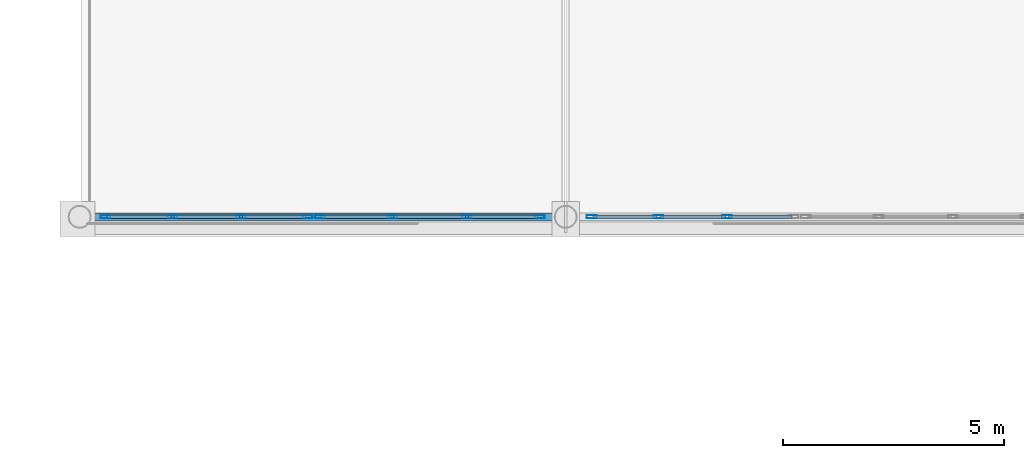
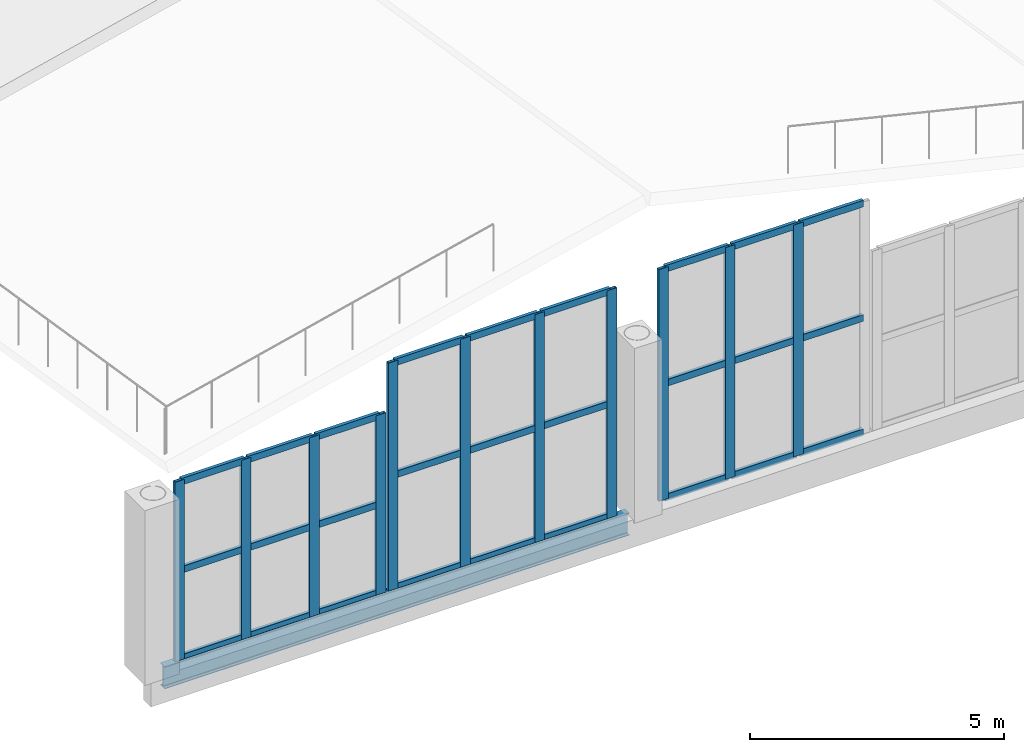
# One storey, part 13 of 120: 38 members, 1 beam, 3 elements without a shape of their own.
"""IFC4 building model written with IfcOpenShell, lengths in metres."""

from ifc_helpers import new_model, si_unit, direction, frame, origin, origin_2d, place, context, subcontext, project, spatial, hollow_rectangle, i_section, extrude, material, material_profile, profile_set, type_object, element, aggregate, save


model = new_model("IFC4")

# Units and contexts
model_context = context("Model", 3, precision=1e-05, world=origin(), true_north=direction((0.0, 1.0)))
body_context = subcontext(model_context, "Body", "Model", "MODEL_VIEW")
ifc_project = project(units=[si_unit("LENGTHUNIT", "METRE"), si_unit("AREAUNIT", "SQUARE_METRE"), si_unit("VOLUMEUNIT", "CUBIC_METRE"), si_unit("PLANEANGLEUNIT", "RADIAN"), si_unit("MASSUNIT", "GRAM", prefix="KILO")], contexts=[model_context])

# Site, building, storey
site_placement = place(None, origin())
site = spatial("IfcSite", under=ifc_project, at=site_placement, CompositionType="ELEMENT")
building_placement = place(site_placement, origin())
building = spatial("IfcBuilding", under=site, at=building_placement, Name="Caurita Quay Ferry Terminal", CompositionType="ELEMENT")
storey_placement = place(building_placement, frame((0.0, 0.0, 9.89990234375)))
storey = spatial("IfcBuildingStorey", under=building, at=storey_placement, Name="L02", CompositionType="ELEMENT", Elevation=9.89990234375)

# Beam
ifc_material_1 = material(Name="Structural steel ASTM A992 Gr. 50", Category="steel")
ifc_material_profile_1 = material_profile(ifc_material_1, i_section(OverallWidth=0.16650390625, OverallDepth=0.535888671875, WebThickness=0.01025390625, FlangeThickness=0.0166015625, FilletRadius=0.013916015625, at=origin_2d()), Name="W21X57")
ifc_profile_set_1 = profile_set([ifc_material_profile_1], Name="Structural steel ASTM A992 Gr. 50")
beam_type = type_object("IfcBeamType", Name="BM-SP-W21B", PredefinedType="SPANDREL", material=ifc_profile_set_1)
beam_placement = place(storey_placement, frame((0.219970703125, 34.60009765625, -0.267822265625), z_axis=(1.0, 0.0, 0.0), x_axis=(0.0, 1.0, 0.0)))
element("IfcBeam", 1, at=beam_placement, inside=storey, type_object=beam_type, Name="V1 Waterside Clerestory Sill Spandrel 0", PredefinedType="SPANDREL", context=body_context, shape_type="SweptSolid", body=[
    extrude(i_section(OverallWidth=0.16650390625, OverallDepth=0.535888671875, WebThickness=0.01025390625, FlangeThickness=0.0166015625, FilletRadius=0.013916015625, at=origin_2d()), origin(), (0.0, 0.0, 1.0), 10.56005859375),
])

# Curtain wall, members
ifc_material_2 = material(Name="Laminated solar-control insulated glass", Category="glass")
curtain_wall_type_1 = type_object("IfcCurtainWallType", Name="CW-SYS-01", PredefinedType="NOTDEFINED", material=ifc_material_2)
curtain_wall_1_placement = place(storey_placement, origin())
curtain_wall_1 = element("IfcCurtainWall", 2, at=curtain_wall_1_placement, inside=storey, type_object=curtain_wall_type_1, Name="Folded Roof Clerestory FB-01-S1", PredefinedType="NOTDEFINED")
ifc_material_3 = material(Name="Anodized aluminium 6063-T6", Category="aluminium")
ifc_material_profile_2 = material_profile(ifc_material_3, hollow_rectangle(XDim=0.074951171875, YDim=0.219970703125, WallThickness=0.00390625, at=origin_2d()), Name="ALU-MUL-75X220")
ifc_profile_set_2 = profile_set([ifc_material_profile_2], Name="Anodized aluminium 6063-T6")
member_type_1 = type_object("IfcMemberType", Name="CW-MUL-220", PredefinedType="MULLION", material=ifc_profile_set_2)
member_1_placement = place(storey_placement, frame((0.58740234375, 34.60009765625, 0.0), z_axis=(0.0, 0.0, 1.0), x_axis=(0.0, 1.0, 0.0)))
member_1 = element("IfcMember", 3, at=member_1_placement, type_object=member_type_1, Name="CW-CLR-001 Mullion 1", PredefinedType="MULLION", context=body_context, shape_type="SweptSolid", body=[
    extrude(hollow_rectangle(XDim=0.074951171875, YDim=0.219970703125, WallThickness=0.00390625, at=origin_2d()), origin(), (0.0, 0.0, 1.0), 4.31298828125),
])
member_2_placement = place(storey_placement, frame((2.10009765625, 34.60009765625, 0.0), z_axis=(0.0, 0.0, 1.0), x_axis=(0.0, 1.0, 0.0)))
member_2 = element("IfcMember", 4, at=member_2_placement, type_object=member_type_1, Name="CW-CLR-001 Mullion 2", PredefinedType="MULLION", context=body_context, shape_type="SweptSolid", body=[
    extrude(hollow_rectangle(XDim=0.074951171875, YDim=0.219970703125, WallThickness=0.00390625, at=origin_2d()), origin(), (0.0, 0.0, 1.0), 4.31298828125),
])
member_3_placement = place(storey_placement, frame((3.64990234375, 34.60009765625, 0.0), z_axis=(0.0, 0.0, 1.0), x_axis=(0.0, 1.0, 0.0)))
member_3 = element("IfcMember", 5, at=member_3_placement, type_object=member_type_1, Name="CW-CLR-001 Mullion 3", PredefinedType="MULLION", context=body_context, shape_type="SweptSolid", body=[
    extrude(hollow_rectangle(XDim=0.074951171875, YDim=0.219970703125, WallThickness=0.00390625, at=origin_2d()), origin(), (0.0, 0.0, 1.0), 4.31298828125),
])
member_4_placement = place(storey_placement, frame((5.16259765625, 34.60009765625, 0.0), z_axis=(0.0, 0.0, 1.0), x_axis=(0.0, 1.0, 0.0)))
member_4 = element("IfcMember", 6, at=member_4_placement, type_object=member_type_1, Name="CW-CLR-001 Mullion 4", PredefinedType="MULLION", context=body_context, shape_type="SweptSolid", body=[
    extrude(hollow_rectangle(XDim=0.074951171875, YDim=0.219970703125, WallThickness=0.00390625, at=origin_2d()), origin(), (0.0, 0.0, 1.0), 4.31298828125),
])

curtain_wall_type_2 = type_object("IfcCurtainWallType", Name="CW-SYS-02", PredefinedType="NOTDEFINED", material=ifc_material_2)
curtain_wall_2_placement = place(storey_placement, origin())
curtain_wall_2 = element("IfcCurtainWall", 7, at=curtain_wall_2_placement, inside=storey, type_object=curtain_wall_type_2, Name="Folded Roof Clerestory FB-01-S2", PredefinedType="NOTDEFINED")
member_5_placement = place(storey_placement, frame((5.4375, 34.60009765625, 0.0), z_axis=(0.0, 0.0, 1.0), x_axis=(0.0, 1.0, 0.0)))
member_5 = element("IfcMember", 8, at=member_5_placement, type_object=member_type_1, Name="CW-CLR-002 Mullion 1", PredefinedType="MULLION", context=body_context, shape_type="SweptSolid", body=[
    extrude(hollow_rectangle(XDim=0.074951171875, YDim=0.219970703125, WallThickness=0.00390625, at=origin_2d()), origin(), (0.0, 0.0, 1.0), 5.47705078125),
])
member_6_placement = place(storey_placement, frame((7.083251953125, 34.60009765625, 0.0), z_axis=(0.0, 0.0, 1.0), x_axis=(0.0, 1.0, 0.0)))
member_6 = element("IfcMember", 9, at=member_6_placement, type_object=member_type_1, Name="CW-CLR-002 Mullion 2", PredefinedType="MULLION", context=body_context, shape_type="SweptSolid", body=[
    extrude(hollow_rectangle(XDim=0.074951171875, YDim=0.219970703125, WallThickness=0.00390625, at=origin_2d()), origin(), (0.0, 0.0, 1.0), 5.47705078125),
])
member_7_placement = place(storey_placement, frame((8.7666015625, 34.60009765625, 0.0), z_axis=(0.0, 0.0, 1.0), x_axis=(0.0, 1.0, 0.0)))
member_7 = element("IfcMember", 10, at=member_7_placement, type_object=member_type_1, Name="CW-CLR-002 Mullion 3", PredefinedType="MULLION", context=body_context, shape_type="SweptSolid", body=[
    extrude(hollow_rectangle(XDim=0.074951171875, YDim=0.219970703125, WallThickness=0.00390625, at=origin_2d()), origin(), (0.0, 0.0, 1.0), 5.47705078125),
])
member_8_placement = place(storey_placement, frame((10.41259765625, 34.60009765625, 0.0), z_axis=(0.0, 0.0, 1.0), x_axis=(0.0, 1.0, 0.0)))
member_8 = element("IfcMember", 11, at=member_8_placement, type_object=member_type_1, Name="CW-CLR-002 Mullion 4", PredefinedType="MULLION", context=body_context, shape_type="SweptSolid", body=[
    extrude(hollow_rectangle(XDim=0.074951171875, YDim=0.219970703125, WallThickness=0.00390625, at=origin_2d()), origin(), (0.0, 0.0, 1.0), 5.47705078125),
])

curtain_wall_type_3 = type_object("IfcCurtainWallType", Name="CW-SYS-03", PredefinedType="NOTDEFINED", material=ifc_material_2)
curtain_wall_3_placement = place(storey_placement, origin())
curtain_wall_3 = element("IfcCurtainWall", 12, at=curtain_wall_3_placement, inside=storey, type_object=curtain_wall_type_3, Name="Folded Roof Clerestory FB-01-S3", PredefinedType="NOTDEFINED")
member_9_placement = place(storey_placement, frame((11.58740234375, 34.60009765625, 0.0), z_axis=(0.0, 0.0, 1.0), x_axis=(0.0, 1.0, 0.0)))
member_9 = element("IfcMember", 13, at=member_9_placement, type_object=member_type_1, Name="CW-CLR-003 Mullion 1", PredefinedType="MULLION", context=body_context, shape_type="SweptSolid", body=[
    extrude(hollow_rectangle(XDim=0.074951171875, YDim=0.219970703125, WallThickness=0.00390625, at=origin_2d()), origin(), (0.0, 0.0, 1.0), 5.572998046875),
])
member_10_placement = place(storey_placement, frame((13.10009765625, 34.60009765625, 0.0), z_axis=(0.0, 0.0, 1.0), x_axis=(0.0, 1.0, 0.0)))
member_10 = element("IfcMember", 14, at=member_10_placement, type_object=member_type_1, Name="CW-CLR-003 Mullion 2", PredefinedType="MULLION", context=body_context, shape_type="SweptSolid", body=[
    extrude(hollow_rectangle(XDim=0.074951171875, YDim=0.219970703125, WallThickness=0.00390625, at=origin_2d()), origin(), (0.0, 0.0, 1.0), 5.572998046875),
])
member_11_placement = place(storey_placement, frame((14.64990234375, 34.60009765625, 0.0), z_axis=(0.0, 0.0, 1.0), x_axis=(0.0, 1.0, 0.0)))
member_11 = element("IfcMember", 15, at=member_11_placement, type_object=member_type_1, Name="CW-CLR-003 Mullion 3", PredefinedType="MULLION", context=body_context, shape_type="SweptSolid", body=[
    extrude(hollow_rectangle(XDim=0.074951171875, YDim=0.219970703125, WallThickness=0.00390625, at=origin_2d()), origin(), (0.0, 0.0, 1.0), 5.572998046875),
])

# Member
ifc_material_profile_3 = material_profile(ifc_material_3, hollow_rectangle(XDim=0.074951171875, YDim=0.159912109375, WallThickness=0.00390625, at=origin_2d()), Name="ALU-TRN-75X160")
ifc_profile_set_3 = profile_set([ifc_material_profile_3], Name="Anodized aluminium 6063-T6")
member_type_2 = type_object("IfcMemberType", Name="CW-TRN-160", PredefinedType="USERDEFINED", material=ifc_profile_set_3)
member_12_placement = place(storey_placement, frame((0.623046875, 34.60009765625, 0.03759765625), z_axis=(1.0, 0.0, 0.0), x_axis=(0.0, 1.0, 0.0)))
member_12 = element("IfcMember", 16, at=member_12_placement, type_object=member_type_2, Name="CW-CLR-001 Transom 1", ObjectType="TRANSOM", PredefinedType="USERDEFINED", context=body_context, shape_type="SweptSolid", body=[
    extrude(hollow_rectangle(XDim=0.074951171875, YDim=0.159912109375, WallThickness=0.00390625, at=origin_2d()), origin(), (0.0, 0.0, 1.0), 1.44140625),
])

member_13_placement = place(storey_placement, frame((0.623046875, 34.60009765625, 2.156494140625), z_axis=(1.0, 0.0, 0.0), x_axis=(0.0, 1.0, 0.0)))
member_13 = element("IfcMember", 17, at=member_13_placement, type_object=member_type_2, Name="CW-CLR-001 Transom 2", ObjectType="TRANSOM", PredefinedType="USERDEFINED", context=body_context, shape_type="SweptSolid", body=[
    extrude(hollow_rectangle(XDim=0.074951171875, YDim=0.159912109375, WallThickness=0.00390625, at=origin_2d()), origin(), (0.0, 0.0, 1.0), 1.44140625),
])

member_14_placement = place(storey_placement, frame((0.623046875, 34.60009765625, 4.275634765625), z_axis=(1.0, 0.0, 0.0), x_axis=(0.0, 1.0, 0.0)))
member_14 = element("IfcMember", 18, at=member_14_placement, type_object=member_type_2, Name="CW-CLR-001 Transom 3", ObjectType="TRANSOM", PredefinedType="USERDEFINED", context=body_context, shape_type="SweptSolid", body=[
    extrude(hollow_rectangle(XDim=0.074951171875, YDim=0.159912109375, WallThickness=0.00390625, at=origin_2d()), origin(), (0.0, 0.0, 1.0), 1.44140625),
])

member_15_placement = place(storey_placement, frame((2.135498046875, 34.60009765625, 0.03759765625), z_axis=(1.0, 0.0, 0.0), x_axis=(0.0, 1.0, 0.0)))
member_15 = element("IfcMember", 19, at=member_15_placement, type_object=member_type_2, Name="CW-CLR-001 Transom 4", ObjectType="TRANSOM", PredefinedType="USERDEFINED", context=body_context, shape_type="SweptSolid", body=[
    extrude(hollow_rectangle(XDim=0.074951171875, YDim=0.159912109375, WallThickness=0.00390625, at=origin_2d()), origin(), (0.0, 0.0, 1.0), 1.47900390625),
])

member_16_placement = place(storey_placement, frame((2.135498046875, 34.60009765625, 2.156494140625), z_axis=(1.0, 0.0, 0.0), x_axis=(0.0, 1.0, 0.0)))
member_16 = element("IfcMember", 20, at=member_16_placement, type_object=member_type_2, Name="CW-CLR-001 Transom 5", ObjectType="TRANSOM", PredefinedType="USERDEFINED", context=body_context, shape_type="SweptSolid", body=[
    extrude(hollow_rectangle(XDim=0.074951171875, YDim=0.159912109375, WallThickness=0.00390625, at=origin_2d()), origin(), (0.0, 0.0, 1.0), 1.47900390625),
])

member_17_placement = place(storey_placement, frame((2.135498046875, 34.60009765625, 4.275634765625), z_axis=(1.0, 0.0, 0.0), x_axis=(0.0, 1.0, 0.0)))
member_17 = element("IfcMember", 21, at=member_17_placement, type_object=member_type_2, Name="CW-CLR-001 Transom 6", ObjectType="TRANSOM", PredefinedType="USERDEFINED", context=body_context, shape_type="SweptSolid", body=[
    extrude(hollow_rectangle(XDim=0.074951171875, YDim=0.159912109375, WallThickness=0.00390625, at=origin_2d()), origin(), (0.0, 0.0, 1.0), 1.47900390625),
])

member_18_placement = place(storey_placement, frame((3.685546875, 34.60009765625, 0.03759765625), z_axis=(1.0, 0.0, 0.0), x_axis=(0.0, 1.0, 0.0)))
member_18 = element("IfcMember", 22, at=member_18_placement, type_object=member_type_2, Name="CW-CLR-001 Transom 7", ObjectType="TRANSOM", PredefinedType="USERDEFINED", context=body_context, shape_type="SweptSolid", body=[
    extrude(hollow_rectangle(XDim=0.074951171875, YDim=0.159912109375, WallThickness=0.00390625, at=origin_2d()), origin(), (0.0, 0.0, 1.0), 1.44140625),
])

member_19_placement = place(storey_placement, frame((3.685546875, 34.60009765625, 2.156494140625), z_axis=(1.0, 0.0, 0.0), x_axis=(0.0, 1.0, 0.0)))
member_19 = element("IfcMember", 23, at=member_19_placement, type_object=member_type_2, Name="CW-CLR-001 Transom 8", ObjectType="TRANSOM", PredefinedType="USERDEFINED", context=body_context, shape_type="SweptSolid", body=[
    extrude(hollow_rectangle(XDim=0.074951171875, YDim=0.159912109375, WallThickness=0.00390625, at=origin_2d()), origin(), (0.0, 0.0, 1.0), 1.44140625),
])

member_20_placement = place(storey_placement, frame((3.685546875, 34.60009765625, 4.275634765625), z_axis=(1.0, 0.0, 0.0), x_axis=(0.0, 1.0, 0.0)))
member_20 = element("IfcMember", 24, at=member_20_placement, type_object=member_type_2, Name="CW-CLR-001 Transom 9", ObjectType="TRANSOM", PredefinedType="USERDEFINED", context=body_context, shape_type="SweptSolid", body=[
    extrude(hollow_rectangle(XDim=0.074951171875, YDim=0.159912109375, WallThickness=0.00390625, at=origin_2d()), origin(), (0.0, 0.0, 1.0), 1.44140625),
])

aggregate(curtain_wall_1, [member_1, member_2, member_3, member_4, member_12, member_13, member_14, member_15, member_16, member_17, member_18, member_19, member_20])

member_21_placement = place(storey_placement, frame((5.472900390625, 34.60009765625, 0.03759765625), z_axis=(1.0, 0.0, 0.0), x_axis=(0.0, 1.0, 0.0)))
member_21 = element("IfcMember", 25, at=member_21_placement, type_object=member_type_2, Name="CW-CLR-002 Transom 1", ObjectType="TRANSOM", PredefinedType="USERDEFINED", context=body_context, shape_type="SweptSolid", body=[
    extrude(hollow_rectangle(XDim=0.074951171875, YDim=0.159912109375, WallThickness=0.00390625, at=origin_2d()), origin(), (0.0, 0.0, 1.0), 1.574951171875),
])

member_22_placement = place(storey_placement, frame((5.472900390625, 34.60009765625, 2.738525390625), z_axis=(1.0, 0.0, 0.0), x_axis=(0.0, 1.0, 0.0)))
member_22 = element("IfcMember", 26, at=member_22_placement, type_object=member_type_2, Name="CW-CLR-002 Transom 2", ObjectType="TRANSOM", PredefinedType="USERDEFINED", context=body_context, shape_type="SweptSolid", body=[
    extrude(hollow_rectangle(XDim=0.074951171875, YDim=0.159912109375, WallThickness=0.00390625, at=origin_2d()), origin(), (0.0, 0.0, 1.0), 1.574951171875),
])

member_23_placement = place(storey_placement, frame((5.472900390625, 34.60009765625, 5.439697265625), z_axis=(1.0, 0.0, 0.0), x_axis=(0.0, 1.0, 0.0)))
member_23 = element("IfcMember", 27, at=member_23_placement, type_object=member_type_2, Name="CW-CLR-002 Transom 3", ObjectType="TRANSOM", PredefinedType="USERDEFINED", context=body_context, shape_type="SweptSolid", body=[
    extrude(hollow_rectangle(XDim=0.074951171875, YDim=0.159912109375, WallThickness=0.00390625, at=origin_2d()), origin(), (0.0, 0.0, 1.0), 1.574951171875),
])

member_24_placement = place(storey_placement, frame((7.118896484375, 34.60009765625, 0.03759765625), z_axis=(1.0, 0.0, 0.0), x_axis=(0.0, 1.0, 0.0)))
member_24 = element("IfcMember", 28, at=member_24_placement, type_object=member_type_2, Name="CW-CLR-002 Transom 4", ObjectType="TRANSOM", PredefinedType="USERDEFINED", context=body_context, shape_type="SweptSolid", body=[
    extrude(hollow_rectangle(XDim=0.074951171875, YDim=0.159912109375, WallThickness=0.00390625, at=origin_2d()), origin(), (0.0, 0.0, 1.0), 1.6123046875),
])

member_25_placement = place(storey_placement, frame((7.118896484375, 34.60009765625, 2.738525390625), z_axis=(1.0, 0.0, 0.0), x_axis=(0.0, 1.0, 0.0)))
member_25 = element("IfcMember", 29, at=member_25_placement, type_object=member_type_2, Name="CW-CLR-002 Transom 5", ObjectType="TRANSOM", PredefinedType="USERDEFINED", context=body_context, shape_type="SweptSolid", body=[
    extrude(hollow_rectangle(XDim=0.074951171875, YDim=0.159912109375, WallThickness=0.00390625, at=origin_2d()), origin(), (0.0, 0.0, 1.0), 1.6123046875),
])

member_26_placement = place(storey_placement, frame((7.118896484375, 34.60009765625, 5.439697265625), z_axis=(1.0, 0.0, 0.0), x_axis=(0.0, 1.0, 0.0)))
member_26 = element("IfcMember", 30, at=member_26_placement, type_object=member_type_2, Name="CW-CLR-002 Transom 6", ObjectType="TRANSOM", PredefinedType="USERDEFINED", context=body_context, shape_type="SweptSolid", body=[
    extrude(hollow_rectangle(XDim=0.074951171875, YDim=0.159912109375, WallThickness=0.00390625, at=origin_2d()), origin(), (0.0, 0.0, 1.0), 1.6123046875),
])

member_27_placement = place(storey_placement, frame((8.80224609375, 34.60009765625, 0.03759765625), z_axis=(1.0, 0.0, 0.0), x_axis=(0.0, 1.0, 0.0)))
member_27 = element("IfcMember", 31, at=member_27_placement, type_object=member_type_2, Name="CW-CLR-002 Transom 7", ObjectType="TRANSOM", PredefinedType="USERDEFINED", context=body_context, shape_type="SweptSolid", body=[
    extrude(hollow_rectangle(XDim=0.074951171875, YDim=0.159912109375, WallThickness=0.00390625, at=origin_2d()), origin(), (0.0, 0.0, 1.0), 1.57470703125),
])

member_28_placement = place(storey_placement, frame((8.80224609375, 34.60009765625, 2.738525390625), z_axis=(1.0, 0.0, 0.0), x_axis=(0.0, 1.0, 0.0)))
member_28 = element("IfcMember", 32, at=member_28_placement, type_object=member_type_2, Name="CW-CLR-002 Transom 8", ObjectType="TRANSOM", PredefinedType="USERDEFINED", context=body_context, shape_type="SweptSolid", body=[
    extrude(hollow_rectangle(XDim=0.074951171875, YDim=0.159912109375, WallThickness=0.00390625, at=origin_2d()), origin(), (0.0, 0.0, 1.0), 1.57470703125),
])

member_29_placement = place(storey_placement, frame((8.80224609375, 34.60009765625, 5.439697265625), z_axis=(1.0, 0.0, 0.0), x_axis=(0.0, 1.0, 0.0)))
member_29 = element("IfcMember", 33, at=member_29_placement, type_object=member_type_2, Name="CW-CLR-002 Transom 9", ObjectType="TRANSOM", PredefinedType="USERDEFINED", context=body_context, shape_type="SweptSolid", body=[
    extrude(hollow_rectangle(XDim=0.074951171875, YDim=0.159912109375, WallThickness=0.00390625, at=origin_2d()), origin(), (0.0, 0.0, 1.0), 1.57470703125),
])

aggregate(curtain_wall_2, [member_5, member_6, member_7, member_8, member_21, member_22, member_23, member_24, member_25, member_26, member_27, member_28, member_29])

member_30_placement = place(storey_placement, frame((11.623046875, 34.60009765625, 0.03759765625), z_axis=(1.0, 0.0, 0.0), x_axis=(0.0, 1.0, 0.0)))
member_30 = element("IfcMember", 34, at=member_30_placement, type_object=member_type_2, Name="CW-CLR-003 Transom 1", ObjectType="TRANSOM", PredefinedType="USERDEFINED", context=body_context, shape_type="SweptSolid", body=[
    extrude(hollow_rectangle(XDim=0.074951171875, YDim=0.159912109375, WallThickness=0.00390625, at=origin_2d()), origin(), (0.0, 0.0, 1.0), 1.44140625),
])

member_31_placement = place(storey_placement, frame((11.623046875, 34.60009765625, 2.78662109375), z_axis=(1.0, 0.0, 0.0), x_axis=(0.0, 1.0, 0.0)))
member_31 = element("IfcMember", 35, at=member_31_placement, type_object=member_type_2, Name="CW-CLR-003 Transom 2", ObjectType="TRANSOM", PredefinedType="USERDEFINED", context=body_context, shape_type="SweptSolid", body=[
    extrude(hollow_rectangle(XDim=0.074951171875, YDim=0.159912109375, WallThickness=0.00390625, at=origin_2d()), origin(), (0.0, 0.0, 1.0), 1.44140625),
])

member_32_placement = place(storey_placement, frame((11.623046875, 34.60009765625, 5.53564453125), z_axis=(1.0, 0.0, 0.0), x_axis=(0.0, 1.0, 0.0)))
member_32 = element("IfcMember", 36, at=member_32_placement, type_object=member_type_2, Name="CW-CLR-003 Transom 3", ObjectType="TRANSOM", PredefinedType="USERDEFINED", context=body_context, shape_type="SweptSolid", body=[
    extrude(hollow_rectangle(XDim=0.074951171875, YDim=0.159912109375, WallThickness=0.00390625, at=origin_2d()), origin(), (0.0, 0.0, 1.0), 1.44140625),
])

member_33_placement = place(storey_placement, frame((13.135498046875, 34.60009765625, 0.03759765625), z_axis=(1.0, 0.0, 0.0), x_axis=(0.0, 1.0, 0.0)))
member_33 = element("IfcMember", 37, at=member_33_placement, type_object=member_type_2, Name="CW-CLR-003 Transom 4", ObjectType="TRANSOM", PredefinedType="USERDEFINED", context=body_context, shape_type="SweptSolid", body=[
    extrude(hollow_rectangle(XDim=0.074951171875, YDim=0.159912109375, WallThickness=0.00390625, at=origin_2d()), origin(), (0.0, 0.0, 1.0), 1.47900390625),
])

member_34_placement = place(storey_placement, frame((13.135498046875, 34.60009765625, 2.78662109375), z_axis=(1.0, 0.0, 0.0), x_axis=(0.0, 1.0, 0.0)))
member_34 = element("IfcMember", 38, at=member_34_placement, type_object=member_type_2, Name="CW-CLR-003 Transom 5", ObjectType="TRANSOM", PredefinedType="USERDEFINED", context=body_context, shape_type="SweptSolid", body=[
    extrude(hollow_rectangle(XDim=0.074951171875, YDim=0.159912109375, WallThickness=0.00390625, at=origin_2d()), origin(), (0.0, 0.0, 1.0), 1.47900390625),
])

member_35_placement = place(storey_placement, frame((13.135498046875, 34.60009765625, 5.53564453125), z_axis=(1.0, 0.0, 0.0), x_axis=(0.0, 1.0, 0.0)))
member_35 = element("IfcMember", 39, at=member_35_placement, type_object=member_type_2, Name="CW-CLR-003 Transom 6", ObjectType="TRANSOM", PredefinedType="USERDEFINED", context=body_context, shape_type="SweptSolid", body=[
    extrude(hollow_rectangle(XDim=0.074951171875, YDim=0.159912109375, WallThickness=0.00390625, at=origin_2d()), origin(), (0.0, 0.0, 1.0), 1.47900390625),
])

member_36_placement = place(storey_placement, frame((14.685546875, 34.60009765625, 0.03759765625), z_axis=(1.0, 0.0, 0.0), x_axis=(0.0, 1.0, 0.0)))
member_36 = element("IfcMember", 40, at=member_36_placement, type_object=member_type_2, Name="CW-CLR-003 Transom 7", ObjectType="TRANSOM", PredefinedType="USERDEFINED", context=body_context, shape_type="SweptSolid", body=[
    extrude(hollow_rectangle(XDim=0.074951171875, YDim=0.159912109375, WallThickness=0.00390625, at=origin_2d()), origin(), (0.0, 0.0, 1.0), 1.44140625),
])

member_37_placement = place(storey_placement, frame((14.685546875, 34.60009765625, 2.78662109375), z_axis=(1.0, 0.0, 0.0), x_axis=(0.0, 1.0, 0.0)))
member_37 = element("IfcMember", 41, at=member_37_placement, type_object=member_type_2, Name="CW-CLR-003 Transom 8", ObjectType="TRANSOM", PredefinedType="USERDEFINED", context=body_context, shape_type="SweptSolid", body=[
    extrude(hollow_rectangle(XDim=0.074951171875, YDim=0.159912109375, WallThickness=0.00390625, at=origin_2d()), origin(), (0.0, 0.0, 1.0), 1.44140625),
])

member_38_placement = place(storey_placement, frame((14.685546875, 34.60009765625, 5.53564453125), z_axis=(1.0, 0.0, 0.0), x_axis=(0.0, 1.0, 0.0)))
member_38 = element("IfcMember", 42, at=member_38_placement, type_object=member_type_2, Name="CW-CLR-003 Transom 9", ObjectType="TRANSOM", PredefinedType="USERDEFINED", context=body_context, shape_type="SweptSolid", body=[
    extrude(hollow_rectangle(XDim=0.074951171875, YDim=0.159912109375, WallThickness=0.00390625, at=origin_2d()), origin(), (0.0, 0.0, 1.0), 1.44140625),
])

aggregate(curtain_wall_3, [member_9, member_10, member_11, member_30, member_31, member_32, member_33, member_34, member_35, member_36, member_37, member_38])

save(model, "model.ifc")
